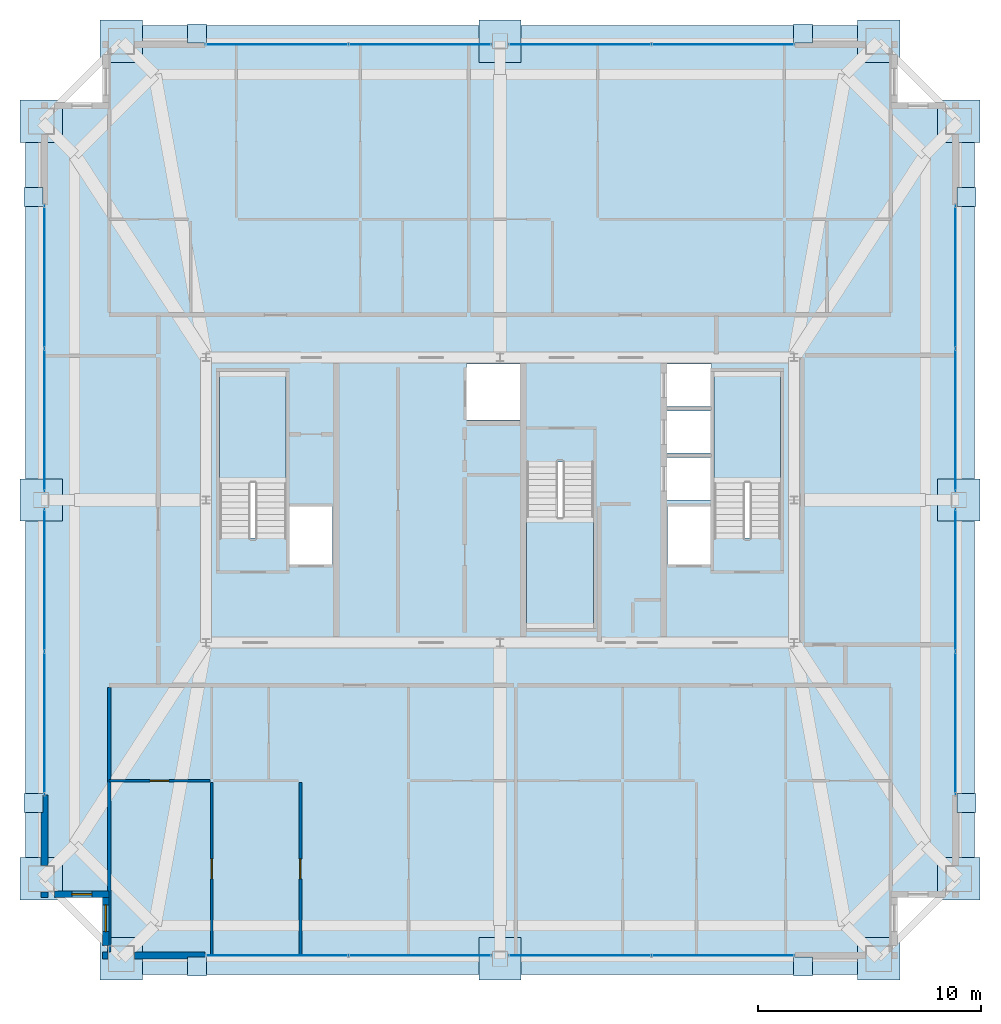
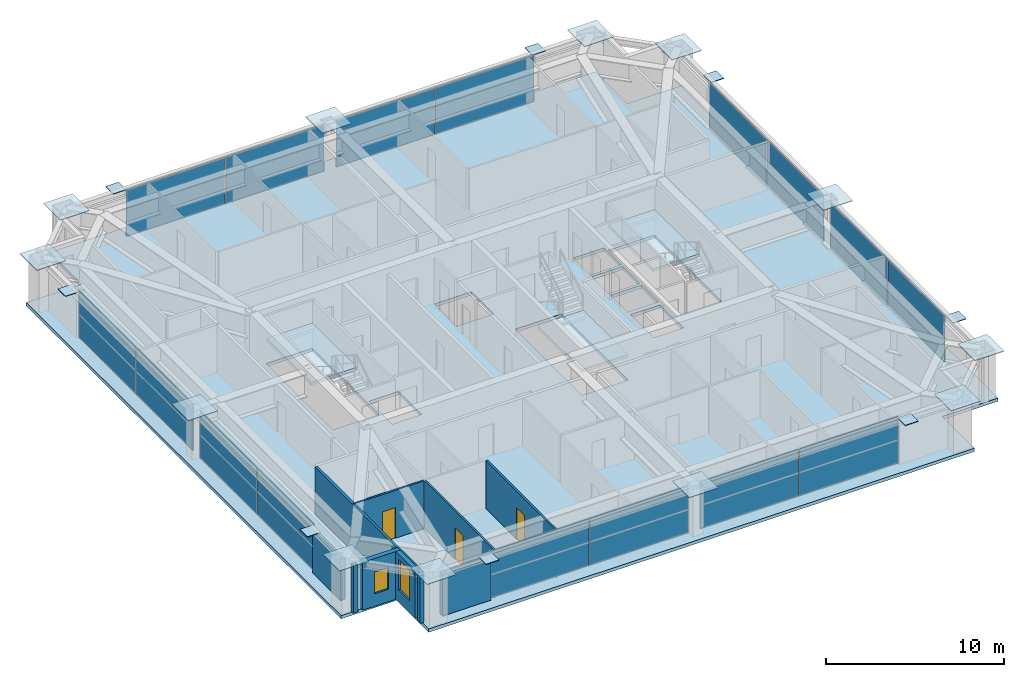
# One storey, part 28 of 33: 36 plates, 10 walls, 4 slabs, 3 doors, 2 windows, 5 openings, 11 elements without a shape of their own.
"""IFC4 building model written with IfcOpenShell, lengths in metres."""

from ifc_helpers import new_model, si_unit, direction, frame, frame_2d, origin, origin_2d, place, context, subcontext, project, spatial, polyline, rectangle, outline, extrude, source, transform, mapped, material, layer, layer_set, type_object, element, fill, aggregate, save


model = new_model("IFC4")

# Units and contexts
model_context = context("Model", 3, precision=1e-05, world=origin(), true_north=direction((0.0, 1.0)))
body_context = subcontext(model_context, "Body", "Model", "MODEL_VIEW")
ifc_project = project(units=[si_unit("LENGTHUNIT", "METRE"), si_unit("AREAUNIT", "SQUARE_METRE"), si_unit("VOLUMEUNIT", "CUBIC_METRE"), si_unit("PLANEANGLEUNIT", "RADIAN"), si_unit("MASSUNIT", "GRAM", prefix="KILO"), si_unit("THERMODYNAMICTEMPERATUREUNIT", "KELVIN"), si_unit("POWERUNIT", "WATT")], contexts=[model_context])

# Site, building, storey
site_placement = place(None, origin())
site = spatial("IfcSite", under=ifc_project, at=site_placement, CompositionType="ELEMENT")
building_placement = place(site_placement, origin())
building = spatial("IfcBuilding", under=site, at=building_placement, Name="Yuzanri Waterfront Tower", CompositionType="ELEMENT")
storey_placement = place(building_placement, frame((0.0, 0.0, 282.10009765625)))
storey = spatial("IfcBuildingStorey", under=building, at=storey_placement, Name="L75", CompositionType="ELEMENT", Elevation=282.10009765625)

# Stair, slab
ifc_material_1 = material(Name="Concrete C40", Category="concrete")
stair_type = type_object("IfcStairType", Name="Concrete C40 Core Dogleg Exit Stair", PredefinedType="HALF_TURN_STAIR", material=ifc_material_1)
stair_1_placement = place(storey_placement, origin())
stair_1 = element("IfcStair", 1, at=stair_1_placement, inside=storey, type_object=stair_type, Name="L75 Smoke-Proof Core Stair ST-01", PredefinedType="HALF_TURN_STAIR")
ifc_material_2 = material(Name="Concrete C40", Category="concrete")
ifc_layer_1 = layer(ifc_material_2, 0.179931640625)
ifc_layer_set_1 = layer_set([ifc_layer_1], Name="Concrete C40")
slab_type_1 = type_object("IfcSlabType", Name="Concrete C40 Stair Half-Landing Slab 180", PredefinedType="LANDING", material=ifc_layer_set_1)
slab_1_placement = place(storey_placement, frame((0.0, 0.0, 1.5498046875)))
slab_1 = element("IfcSlab", 2, at=slab_1_placement, type_object=slab_type_1, Name="ST-01 landing 1", PredefinedType="LANDING", context=body_context, shape_type="SweptSolid", body=[
    extrude(outline(polyline([(27.39990234375, 26.56005859375), (27.39990234375, 31.580078125), (24.39990234375, 31.580078125), (24.39990234375, 26.56005859375), (27.39990234375, 26.56005859375)])), origin(), (0.0, 0.0, 1.0), 0.2001953125),
])
aggregate(stair_1, [slab_1])

stair_2_placement = place(storey_placement, origin())
stair_2 = element("IfcStair", 3, at=stair_2_placement, inside=storey, type_object=stair_type, Name="L75 Smoke-Proof Core Stair ST-02", PredefinedType="HALF_TURN_STAIR")
slab_2_placement = place(storey_placement, frame((0.0, 0.0, 1.5498046875)))
slab_2 = element("IfcSlab", 4, at=slab_2_placement, type_object=slab_type_1, Name="ST-02 landing 1", PredefinedType="LANDING", context=body_context, shape_type="SweptSolid", body=[
    extrude(outline(polyline([(49.60009765625, 26.56005859375), (49.60009765625, 31.580078125), (46.60009765625, 31.580078125), (46.60009765625, 26.56005859375), (49.60009765625, 26.56005859375)])), origin(), (0.0, 0.0, 1.0), 0.2001953125),
])
aggregate(stair_2, [slab_2])

stair_3_placement = place(storey_placement, origin())
stair_3 = element("IfcStair", 5, at=stair_3_placement, inside=storey, type_object=stair_type, Name="L75 Smoke-Proof Core Stair ST-03", PredefinedType="HALF_TURN_STAIR")
slab_3_placement = place(storey_placement, frame((0.0, 0.0, 1.5498046875)))
slab_3 = element("IfcSlab", 6, at=slab_3_placement, type_object=slab_type_1, Name="ST-03 landing 1", PredefinedType="LANDING", context=body_context, shape_type="SweptSolid", body=[
    extrude(outline(polyline([(38.199951171875, 25.0400390625), (38.199951171875, 20.02001953125), (41.199951171875, 20.02001953125), (41.199951171875, 25.0400390625), (38.199951171875, 25.0400390625)])), origin(), (0.0, 0.0, 1.0), 0.2001953125),
])
aggregate(stair_3, [slab_3])

# Slab
ifc_material_3 = material(Name="Concrete C40", Category="concrete")
ifc_layer_2 = layer(ifc_material_3, 0.219970703125)
ifc_layer_set_2 = layer_set([ifc_layer_2], Name="Concrete C40")
slab_type_2 = type_object("IfcSlabType", Name="Concrete C40 Tower Typical Structural Floor Slab 220", PredefinedType="FLOOR", material=ifc_layer_set_2)
slab_4_placement = place(storey_placement, frame((0.0, 0.0, -0.22021484375)))
element("IfcSlab", 7, at=slab_4_placement, inside=storey, type_object=slab_type_2, Name="L75 Main Structural Floor Slab", PredefinedType="FLOOR", context=body_context, shape_type="SweptSolid", body=[
    extrude(outline(polyline([(19.300048828125, 4.5), (54.699951171875, 4.5), (54.699951171875, 8.10009765625), (58.300048828125, 8.10009765625), (58.300048828125, 43.5), (54.699951171875, 43.5), (54.699951171875, 47.10009765625), (19.300048828125, 47.10009765625), (19.300048828125, 43.5), (15.699951171875, 43.5), (15.699951171875, 8.10009765625), (19.300048828125, 8.10009765625), (19.300048828125, 4.5)]), holes=[polyline([(27.39990234375, 24.10009765625), (27.39990234375, 31.580078125), (24.39990234375, 31.580078125), (24.39990234375, 24.10009765625), (27.39990234375, 24.10009765625)]), polyline([(49.60009765625, 24.10009765625), (49.60009765625, 31.580078125), (46.60009765625, 31.580078125), (46.60009765625, 24.10009765625), (49.60009765625, 24.10009765625)]), polyline([(38.199951171875, 27.5), (38.199951171875, 20.02001953125), (41.199951171875, 20.02001953125), (41.199951171875, 27.5), (38.199951171875, 27.5)]), polyline([(27.56005859375, 22.89990234375), (29.47998046875, 22.89990234375), (29.47998046875, 25.5), (27.56005859375, 25.5), (27.56005859375, 22.89990234375)]), polyline([(44.52001953125, 22.89990234375), (46.43994140625, 22.89990234375), (46.43994140625, 25.5), (44.52001953125, 25.5), (44.52001953125, 22.89990234375)]), polyline([(35.5, 29.39990234375), (37.89990234375, 29.39990234375), (37.89990234375, 31.89990234375), (35.5, 31.89990234375), (35.5, 29.39990234375)]), polyline([(44.5, 25.800048828125), (46.5, 25.800048828125), (46.5, 27.699951171875), (44.5, 27.699951171875), (44.5, 25.800048828125)]), polyline([(44.5, 27.89990234375), (46.5, 27.89990234375), (46.5, 29.800048828125), (44.5, 29.800048828125), (44.5, 27.89990234375)]), polyline([(44.5, 30.0), (46.5, 30.0), (46.5, 31.89990234375), (44.5, 31.89990234375), (44.5, 30.0)])]), origin(), (0.0, 0.0, 1.0), 0.22021484375),
])

# Plates
ifc_material_4 = material(Name="Steel Q420GJC", Category="steel")
ifc_layer_3 = layer(ifc_material_4, 0.044921875)
ifc_layer_set_3 = layer_set([ifc_layer_3], Name="Steel Q420GJC")
plate_type_1 = type_object("IfcPlateType", Name="Steel Q420GJC Setback Column-Transfer Diaphragm Cap Plate 45", PredefinedType="SHEET", material=ifc_layer_set_3)
shared_shape_1 = source(origin(), body_context, "Body", "SweptSolid", [
    extrude(rectangle(XDim=1.89990234375, YDim=1.89990234375, at=origin_2d()), origin(), (0.0, 0.0, 1.0), 0.044921875),
])
for number, where, z_axis, x_axis, name in (
    (8, (20.0, 5.199951171875, 3.25732421875), (0.0, 0.0, 1.0), (1.0, 0.0, 0.0), "L75 Column Top Closure Plate S1"),
    (9, (37.0, 5.199951171875, 3.25732421875), (0.0, 0.0, 1.0), (1.0, 0.0, 0.0), "L75 Column Top Closure Plate S2"),
    (10, (54.0, 5.199951171875, 3.25732421875), (0.0, 0.0, 1.0), (1.0, 0.0, 0.0), "L75 Column Top Closure Plate S3"),
    (11, (20.0, 46.39990234375, 3.25732421875), (0.0, 0.0, 1.0), (1.0, 0.0, 0.0), "L75 Column Top Closure Plate N1"),
    (12, (37.0, 46.39990234375, 3.25732421875), (0.0, 0.0, 1.0), (1.0, 0.0, 0.0), "L75 Column Top Closure Plate N2"),
    (13, (54.0, 46.39990234375, 3.25732421875), (0.0, 0.0, 1.0), (1.0, 0.0, 0.0), "L75 Column Top Closure Plate N3"),
    (14, (16.39990234375, 8.800048828125, 3.25732421875), (0.0, 0.0, 1.0), (1.0, 0.0, 0.0), "L75 Column Top Closure Plate W1"),
    (15, (16.39990234375, 25.800048828125, 3.25732421875), (0.0, 0.0, 1.0), (1.0, 0.0, 0.0), "L75 Column Top Closure Plate W2"),
    (16, (16.39990234375, 42.800048828125, 3.25732421875), (0.0, 0.0, 1.0), (1.0, 0.0, 0.0), "L75 Column Top Closure Plate W3"),
    (17, (57.60009765625, 8.800048828125, 3.25732421875), (0.0, 0.0, 1.0), (1.0, 0.0, 0.0), "L75 Column Top Closure Plate E1"),
    (18, (57.60009765625, 25.800048828125, 3.25732421875), (0.0, 0.0, 1.0), (1.0, 0.0, 0.0), "L75 Column Top Closure Plate E2"),
    (19, (57.60009765625, 42.800048828125, 3.25732421875), (0.0, 0.0, 1.0), (1.0, 0.0, 0.0), "L75 Column Top Closure Plate E3"),
):
    element("IfcPlate", number, at=place(storey_placement, frame(where, z_axis=z_axis, x_axis=x_axis)), inside=storey, type_object=plate_type_1, Name=name, PredefinedType="SHEET", context=body_context, shape_type="MappedRepresentation", body=[
        mapped(shared_shape_1, transform((0.0, 0.0, 0.0), scale=1.0)),
    ])
ifc_material_5 = material(Name="Steel Q420GJC", Category="steel")
ifc_layer_4 = layer(ifc_material_5, 0.0400390625)
ifc_layer_set_4 = layer_set([ifc_layer_4], Name="Steel Q420GJC")
plate_type_2 = type_object("IfcPlateType", Name="Steel Q420GJC Mega-Brace Gusset and End-Cap Plate 40", PredefinedType="SHEET", material=ifc_layer_set_4)
shared_shape_2 = source(origin(), body_context, "Body", "SweptSolid", [
    extrude(rectangle(XDim=0.85009765625, YDim=0.85009765625, at=origin_2d()), origin(), (0.0, 0.0, 1.0), 0.0400390625),
])
for number, where, z_axis, x_axis, name in (
    (20, (23.39990234375, 4.860107421875, 3.159912109375), (0.0, 0.0, 1.0), (1.0, 0.0, 0.0), "L75 Mega-Brace Apex Cap Plate S-L"),
    (21, (50.60009765625, 4.860107421875, 3.159912109375), (0.0, 0.0, 1.0), (1.0, 0.0, 0.0), "L75 Mega-Brace Apex Cap Plate S-R"),
    (22, (23.39990234375, 46.739990234375, 3.159912109375), (0.0, 0.0, 1.0), (1.0, 0.0, 0.0), "L75 Mega-Brace Apex Cap Plate N-L"),
    (23, (50.60009765625, 46.739990234375, 3.159912109375), (0.0, 0.0, 1.0), (1.0, 0.0, 0.0), "L75 Mega-Brace Apex Cap Plate N-R"),
    (24, (16.06005859375, 12.199951171875, 3.159912109375), (0.0, 0.0, 1.0), (1.0, 0.0, 0.0), "L75 Mega-Brace Apex Cap Plate W-L"),
    (25, (16.06005859375, 39.39990234375, 3.159912109375), (0.0, 0.0, 1.0), (1.0, 0.0, 0.0), "L75 Mega-Brace Apex Cap Plate W-R"),
    (26, (57.93994140625, 12.199951171875, 3.159912109375), (0.0, 0.0, 1.0), (1.0, 0.0, 0.0), "L75 Mega-Brace Apex Cap Plate E-L"),
    (27, (57.93994140625, 39.39990234375, 3.159912109375), (0.0, 0.0, 1.0), (1.0, 0.0, 0.0), "L75 Mega-Brace Apex Cap Plate E-R"),
):
    element("IfcPlate", number, at=place(storey_placement, frame(where, z_axis=z_axis, x_axis=x_axis)), inside=storey, type_object=plate_type_2, Name=name, PredefinedType="SHEET", context=body_context, shape_type="MappedRepresentation", body=[
        mapped(shared_shape_2, transform((0.0, 0.0, 0.0), scale=1.0)),
    ])

# Curtain wall, plates
ifc_material_6 = material(Name="Anodized Architectural Bronze", Category="metal")
ifc_layer_5 = layer(ifc_material_6, 0.159912109375)
ifc_layer_set_5 = layer_set([ifc_layer_5], Name="Anodized Architectural Bronze")
curtain_wall_type = type_object("IfcCurtainWallType", Name="Anodized Bronze Mid-Rise Residential Acoustic Unitized Curtain Wall 7200", PredefinedType="NOTDEFINED", material=ifc_layer_set_5)
curtain_wall_1_placement = place(storey_placement, origin())
curtain_wall_1 = element("IfcCurtainWall", 28, at=curtain_wall_1_placement, inside=storey, type_object=curtain_wall_type, Name="L75 Curtain Wall CW-L75-SL", PredefinedType="NOTDEFINED")
ifc_material_7 = material(Name="Triple Low-E Laminated Insulated Glass", Category="glass")
ifc_layer_6 = layer(ifc_material_7, 0.0439453125)
ifc_layer_set_6 = layer_set([ifc_layer_6], Name="Triple Low-E Laminated Insulated Glass")
plate_type_3 = type_object("IfcPlateType", Name="Triple Glazed Acoustic Vision Glass Panel 44", PredefinedType="CURTAIN_PANEL", material=ifc_layer_set_6)
shared_shape_3 = source(origin(), body_context, "Body", "SweptSolid", [
    extrude(rectangle(XDim=6.3701171875, YDim=0.0439453125, at=origin_2d()), origin(), (0.0, 0.0, 1.0), 3.179931640625),
])
plate_1_placement = place(storey_placement, frame((26.97509765625, 5.35009765625, 0.0498046875), z_axis=(0.0, 0.0, 1.0), x_axis=(1.0, 0.0, 0.0)))
plate_1 = element("IfcPlate", 29, at=plate_1_placement, type_object=plate_type_3, Name="CW-L75-SL Vision Glass Panel 01", PredefinedType="CURTAIN_PANEL", context=body_context, shape_type="MappedRepresentation", body=[
    mapped(shared_shape_3, transform((0.0, 0.0, 0.0), scale=1.0)),
])
plate_2_placement = place(storey_placement, frame((33.425048828125, 5.35009765625, 0.0498046875), z_axis=(0.0, 0.0, 1.0), x_axis=(1.0, 0.0, 0.0)))
plate_2 = element("IfcPlate", 30, at=plate_2_placement, type_object=plate_type_3, Name="CW-L75-SL Vision Glass Panel 02", PredefinedType="CURTAIN_PANEL", context=body_context, shape_type="MappedRepresentation", body=[
    mapped(shared_shape_3, transform((0.0, 0.0, 0.0), scale=1.0)),
])
aggregate(curtain_wall_1, [plate_1, plate_2])

curtain_wall_2_placement = place(storey_placement, origin())
curtain_wall_2 = element("IfcCurtainWall", 31, at=curtain_wall_2_placement, inside=storey, type_object=curtain_wall_type, Name="L75 Curtain Wall CW-L75-SR", PredefinedType="NOTDEFINED")
plate_3_placement = place(storey_placement, frame((40.574951171875, 5.35009765625, 0.0498046875), z_axis=(0.0, 0.0, 1.0), x_axis=(1.0, 0.0, 0.0)))
plate_3 = element("IfcPlate", 32, at=plate_3_placement, type_object=plate_type_3, Name="CW-L75-SR Vision Glass Panel 01", PredefinedType="CURTAIN_PANEL", context=body_context, shape_type="MappedRepresentation", body=[
    mapped(shared_shape_3, transform((0.0, 0.0, 0.0), scale=1.0)),
])
plate_4_placement = place(storey_placement, frame((47.02490234375, 5.35009765625, 0.0498046875), z_axis=(0.0, 0.0, 1.0), x_axis=(1.0, 0.0, 0.0)))
plate_4 = element("IfcPlate", 33, at=plate_4_placement, type_object=plate_type_3, Name="CW-L75-SR Vision Glass Panel 02", PredefinedType="CURTAIN_PANEL", context=body_context, shape_type="MappedRepresentation", body=[
    mapped(shared_shape_3, transform((0.0, 0.0, 0.0), scale=1.0)),
])
aggregate(curtain_wall_2, [plate_3, plate_4])

curtain_wall_3_placement = place(storey_placement, origin())
curtain_wall_3 = element("IfcCurtainWall", 34, at=curtain_wall_3_placement, inside=storey, type_object=curtain_wall_type, Name="L75 Curtain Wall CW-L75-NL", PredefinedType="NOTDEFINED")
plate_5_placement = place(storey_placement, frame((26.97509765625, 46.25, 0.0498046875), z_axis=(0.0, 0.0, 1.0), x_axis=(1.0, 0.0, 0.0)))
plate_5 = element("IfcPlate", 35, at=plate_5_placement, type_object=plate_type_3, Name="CW-L75-NL Vision Glass Panel 01", PredefinedType="CURTAIN_PANEL", context=body_context, shape_type="MappedRepresentation", body=[
    mapped(shared_shape_3, transform((0.0, 0.0, 0.0), scale=1.0)),
])
plate_6_placement = place(storey_placement, frame((33.425048828125, 46.25, 0.0498046875), z_axis=(0.0, 0.0, 1.0), x_axis=(1.0, 0.0, 0.0)))
plate_6 = element("IfcPlate", 36, at=plate_6_placement, type_object=plate_type_3, Name="CW-L75-NL Vision Glass Panel 02", PredefinedType="CURTAIN_PANEL", context=body_context, shape_type="MappedRepresentation", body=[
    mapped(shared_shape_3, transform((0.0, 0.0, 0.0), scale=1.0)),
])
aggregate(curtain_wall_3, [plate_5, plate_6])

curtain_wall_4_placement = place(storey_placement, origin())
curtain_wall_4 = element("IfcCurtainWall", 37, at=curtain_wall_4_placement, inside=storey, type_object=curtain_wall_type, Name="L75 Curtain Wall CW-L75-NR", PredefinedType="NOTDEFINED")
plate_7_placement = place(storey_placement, frame((40.574951171875, 46.25, 0.0498046875), z_axis=(0.0, 0.0, 1.0), x_axis=(1.0, 0.0, 0.0)))
plate_7 = element("IfcPlate", 38, at=plate_7_placement, type_object=plate_type_3, Name="CW-L75-NR Vision Glass Panel 01", PredefinedType="CURTAIN_PANEL", context=body_context, shape_type="MappedRepresentation", body=[
    mapped(shared_shape_3, transform((0.0, 0.0, 0.0), scale=1.0)),
])
plate_8_placement = place(storey_placement, frame((47.02490234375, 46.25, 0.0498046875), z_axis=(0.0, 0.0, 1.0), x_axis=(1.0, 0.0, 0.0)))
plate_8 = element("IfcPlate", 39, at=plate_8_placement, type_object=plate_type_3, Name="CW-L75-NR Vision Glass Panel 02", PredefinedType="CURTAIN_PANEL", context=body_context, shape_type="MappedRepresentation", body=[
    mapped(shared_shape_3, transform((0.0, 0.0, 0.0), scale=1.0)),
])
aggregate(curtain_wall_4, [plate_7, plate_8])

curtain_wall_5_placement = place(storey_placement, origin())
curtain_wall_5 = element("IfcCurtainWall", 40, at=curtain_wall_5_placement, inside=storey, type_object=curtain_wall_type, Name="L75 Curtain Wall CW-L75-WL", PredefinedType="NOTDEFINED")
plate_9_placement = place(storey_placement, frame((16.550048828125, 15.77490234375, 0.0498046875), z_axis=(0.0, 0.0, 1.0), x_axis=(0.0, 1.0, 0.0)))
plate_9 = element("IfcPlate", 41, at=plate_9_placement, type_object=plate_type_3, Name="CW-L75-WL Vision Glass Panel 01", PredefinedType="CURTAIN_PANEL", context=body_context, shape_type="MappedRepresentation", body=[
    mapped(shared_shape_3, transform((0.0, 0.0, 0.0), scale=1.0)),
])
plate_10_placement = place(storey_placement, frame((16.550048828125, 22.22509765625, 0.0498046875), z_axis=(0.0, 0.0, 1.0), x_axis=(0.0, 1.0, 0.0)))
plate_10 = element("IfcPlate", 42, at=plate_10_placement, type_object=plate_type_3, Name="CW-L75-WL Vision Glass Panel 02", PredefinedType="CURTAIN_PANEL", context=body_context, shape_type="MappedRepresentation", body=[
    mapped(shared_shape_3, transform((0.0, 0.0, 0.0), scale=1.0)),
])
aggregate(curtain_wall_5, [plate_9, plate_10])

curtain_wall_6_placement = place(storey_placement, origin())
curtain_wall_6 = element("IfcCurtainWall", 43, at=curtain_wall_6_placement, inside=storey, type_object=curtain_wall_type, Name="L75 Curtain Wall CW-L75-WR", PredefinedType="NOTDEFINED")
plate_11_placement = place(storey_placement, frame((16.550048828125, 29.375, 0.0498046875), z_axis=(0.0, 0.0, 1.0), x_axis=(0.0, 1.0, 0.0)))
plate_11 = element("IfcPlate", 44, at=plate_11_placement, type_object=plate_type_3, Name="CW-L75-WR Vision Glass Panel 01", PredefinedType="CURTAIN_PANEL", context=body_context, shape_type="MappedRepresentation", body=[
    mapped(shared_shape_3, transform((0.0, 0.0, 0.0), scale=1.0)),
])
plate_12_placement = place(storey_placement, frame((16.550048828125, 35.824951171875, 0.0498046875), z_axis=(0.0, 0.0, 1.0), x_axis=(0.0, 1.0, 0.0)))
plate_12 = element("IfcPlate", 45, at=plate_12_placement, type_object=plate_type_3, Name="CW-L75-WR Vision Glass Panel 02", PredefinedType="CURTAIN_PANEL", context=body_context, shape_type="MappedRepresentation", body=[
    mapped(shared_shape_3, transform((0.0, 0.0, 0.0), scale=1.0)),
])
aggregate(curtain_wall_6, [plate_11, plate_12])

curtain_wall_7_placement = place(storey_placement, origin())
curtain_wall_7 = element("IfcCurtainWall", 46, at=curtain_wall_7_placement, inside=storey, type_object=curtain_wall_type, Name="L75 Curtain Wall CW-L75-EL", PredefinedType="NOTDEFINED")
plate_13_placement = place(storey_placement, frame((57.449951171875, 15.77490234375, 0.0498046875), z_axis=(0.0, 0.0, 1.0), x_axis=(0.0, 1.0, 0.0)))
plate_13 = element("IfcPlate", 47, at=plate_13_placement, type_object=plate_type_3, Name="CW-L75-EL Vision Glass Panel 01", PredefinedType="CURTAIN_PANEL", context=body_context, shape_type="MappedRepresentation", body=[
    mapped(shared_shape_3, transform((0.0, 0.0, 0.0), scale=1.0)),
])
plate_14_placement = place(storey_placement, frame((57.449951171875, 22.22509765625, 0.0498046875), z_axis=(0.0, 0.0, 1.0), x_axis=(0.0, 1.0, 0.0)))
plate_14 = element("IfcPlate", 48, at=plate_14_placement, type_object=plate_type_3, Name="CW-L75-EL Vision Glass Panel 02", PredefinedType="CURTAIN_PANEL", context=body_context, shape_type="MappedRepresentation", body=[
    mapped(shared_shape_3, transform((0.0, 0.0, 0.0), scale=1.0)),
])
aggregate(curtain_wall_7, [plate_13, plate_14])

curtain_wall_8_placement = place(storey_placement, origin())
curtain_wall_8 = element("IfcCurtainWall", 49, at=curtain_wall_8_placement, inside=storey, type_object=curtain_wall_type, Name="L75 Curtain Wall CW-L75-ER", PredefinedType="NOTDEFINED")
plate_15_placement = place(storey_placement, frame((57.449951171875, 29.375, 0.0498046875), z_axis=(0.0, 0.0, 1.0), x_axis=(0.0, 1.0, 0.0)))
plate_15 = element("IfcPlate", 50, at=plate_15_placement, type_object=plate_type_3, Name="CW-L75-ER Vision Glass Panel 01", PredefinedType="CURTAIN_PANEL", context=body_context, shape_type="MappedRepresentation", body=[
    mapped(shared_shape_3, transform((0.0, 0.0, 0.0), scale=1.0)),
])
plate_16_placement = place(storey_placement, frame((57.449951171875, 35.824951171875, 0.0498046875), z_axis=(0.0, 0.0, 1.0), x_axis=(0.0, 1.0, 0.0)))
plate_16 = element("IfcPlate", 51, at=plate_16_placement, type_object=plate_type_3, Name="CW-L75-ER Vision Glass Panel 02", PredefinedType="CURTAIN_PANEL", context=body_context, shape_type="MappedRepresentation", body=[
    mapped(shared_shape_3, transform((0.0, 0.0, 0.0), scale=1.0)),
])
aggregate(curtain_wall_8, [plate_15, plate_16])

# Wall, opening, door
ifc_material_8 = material(Name="Moisture-Resistant Gypsum Stud Wall", Category="gypsum")
ifc_layer_7 = layer(ifc_material_8, 0.1201171875)
ifc_layer_set_7 = layer_set([ifc_layer_7], Name="Moisture-Resistant Gypsum Stud Wall")
wall_type_1 = type_object("IfcWallType", Name="Bathroom and Kitchen Wet Partition 120", PredefinedType="PARTITIONING", material=ifc_layer_set_7)
wall_1_placement = place(storey_placement, frame((19.43994140625, 13.199951171875, 0.0), z_axis=(0.0, 0.0, 1.0), x_axis=(1.0, 0.0, 0.0)))
wall_1 = element("IfcWall", 52, at=wall_1_placement, inside=storey, type_object=wall_type_1, Name="L75 Partition UW-L75-HS1-SUB-1-S", PredefinedType="PARTITIONING", context=body_context, shape_type="SweptSolid", body=[
    extrude(rectangle(XDim=4.545166015625, YDim=0.1201171875, at=frame_2d((2.2724609375, 0.0))), origin(), (0.0, 0.0, 1.0), 3.27978515625),
])
opening_1_placement = place(wall_1_placement, frame((1.847412109375, 0.0, 0.0)))
opening_1 = element("IfcOpeningElement", 53, at=opening_1_placement, cuts=wall_1, Name="Opening ID-0850", PredefinedType="OPENING", context=body_context, shape_type="SweptSolid", body=[
    extrude(rectangle(XDim=0.85009765625, YDim=2.10009765625, at=frame_2d((0.425048828125, 1.050048828125))), frame((0.0, 0.074951171875, 0.0), z_axis=(0.0, -1.0, 0.0), x_axis=(1.0, 0.0, 0.0)), (0.0, 0.0, 1.0), 0.14990234375),
])
ifc_material_9 = material(Name="Moisture-Resistant Lacquered Timber", Category="wood")
door_type_1 = type_object("IfcDoorType", Name="En-Suite Bathroom and Kitchen Swing Door 850x2100", OperationType="NOTDEFINED", PredefinedType="DOOR", material=ifc_material_9)
shared_shape_4 = source(origin(), body_context, "Body", "SweptSolid", [
    extrude(rectangle(XDim=0.85009765625, YDim=2.10009765625, at=frame_2d((0.425048828125, 1.050048828125))), frame((0.0, 0.02490234375, 0.0), z_axis=(0.0, -1.0, 0.0), x_axis=(1.0, 0.0, 0.0)), (0.0, 0.0, 1.0), 0.050048828125),
])
door_1_placement = place(opening_1_placement, origin())
door_1 = element("IfcDoor", 54, at=door_1_placement, inside=storey, type_object=door_type_1, Name="L75 Suite Interior Room Door", OperationType="SINGLE_SWING_RIGHT", OverallHeight=2.10009765625, OverallWidth=0.85009765625, PredefinedType="DOOR", context=body_context, shape_type="MappedRepresentation", body=[
    mapped(shared_shape_4, transform((0.0, 0.0, 0.0), scale=1.0)),
])
fill(opening_1, door_1)

wall_2_placement = place(storey_placement, frame((24.06494140625, 5.35009765625, 0.0), z_axis=(0.0, 0.0, 1.0), x_axis=(0.0, 1.0, 0.0)))
wall_2 = element("IfcWall", 55, at=wall_2_placement, inside=storey, type_object=wall_type_1, Name="L75 Partition UW-L75-HS1-SUB-4-E", PredefinedType="PARTITIONING", context=body_context, shape_type="SweptSolid", body=[
    extrude(rectangle(XDim=7.77001953125, YDim=0.1201171875, at=frame_2d((3.885009765625, 0.0))), origin(), (0.0, 0.0, 1.0), 3.27978515625),
])
opening_2_placement = place(wall_2_placement, frame((3.43505859375, 0.0, 0.0)))
opening_2 = element("IfcOpeningElement", 56, at=opening_2_placement, cuts=wall_2, Name="Opening ID-0900", PredefinedType="OPENING", context=body_context, shape_type="SweptSolid", body=[
    extrude(rectangle(XDim=0.89990234375, YDim=2.14990234375, at=frame_2d((0.449951171875, 1.074951171875))), frame((0.0, 0.074951171875, 0.0), z_axis=(0.0, -1.0, 0.0), x_axis=(1.0, 0.0, 0.0)), (0.0, 0.0, 1.0), 0.14990234375),
])
ifc_material_10 = material(Name="Stained Walnut Veneer Timber", Category="wood")
door_type_2 = type_object("IfcDoorType", Name="Bedroom and Study Interior Swing Door 900x2150", OperationType="NOTDEFINED", PredefinedType="DOOR", material=ifc_material_10)
shared_shape_5 = source(origin(), body_context, "Body", "SweptSolid", [
    extrude(rectangle(XDim=0.89990234375, YDim=2.14990234375, at=frame_2d((0.449951171875, 1.074951171875))), frame((0.0, 0.02490234375, 0.0), z_axis=(0.0, -1.0, 0.0), x_axis=(1.0, 0.0, 0.0)), (0.0, 0.0, 1.0), 0.050048828125),
])
door_2_placement = place(opening_2_placement, origin())
door_2 = element("IfcDoor", 57, at=door_2_placement, inside=storey, type_object=door_type_2, Name="L75 Suite Interior Room Door", OperationType="SINGLE_SWING_LEFT", OverallHeight=2.14990234375, OverallWidth=0.89990234375, PredefinedType="DOOR", context=body_context, shape_type="MappedRepresentation", body=[
    mapped(shared_shape_5, transform((0.0, 0.0, 0.0), scale=1.0)),
])
fill(opening_2, door_2)

wall_3_placement = place(storey_placement, frame((28.0400390625, 5.35009765625, 0.0), z_axis=(0.0, 0.0, 1.0), x_axis=(0.0, 1.0, 0.0)))
wall_3 = element("IfcWall", 58, at=wall_3_placement, inside=storey, type_object=wall_type_1, Name="L75 Partition UW-L75-HS1-SUB-6-E", PredefinedType="PARTITIONING", context=body_context, shape_type="SweptSolid", body=[
    extrude(rectangle(XDim=7.77001953125, YDim=0.1201171875, at=frame_2d((3.885009765625, 0.0))), origin(), (0.0, 0.0, 1.0), 3.27978515625),
])
opening_3_placement = place(wall_3_placement, frame((3.43505859375, 0.0, 0.0)))
opening_3 = element("IfcOpeningElement", 59, at=opening_3_placement, cuts=wall_3, Name="Opening ID-0900", PredefinedType="OPENING", context=body_context, shape_type="SweptSolid", body=[
    extrude(rectangle(XDim=0.89990234375, YDim=2.14990234375, at=frame_2d((0.449951171875, 1.074951171875))), frame((0.0, 0.074951171875, 0.0), z_axis=(0.0, -1.0, 0.0), x_axis=(1.0, 0.0, 0.0)), (0.0, 0.0, 1.0), 0.14990234375),
])
door_3_placement = place(opening_3_placement, origin())
door_3 = element("IfcDoor", 60, at=door_3_placement, inside=storey, type_object=door_type_2, Name="L75 Suite Interior Room Door", OperationType="SINGLE_SWING_LEFT", OverallHeight=2.14990234375, OverallWidth=0.89990234375, PredefinedType="DOOR", context=body_context, shape_type="MappedRepresentation", body=[
    mapped(shared_shape_5, transform((0.0, 0.0, 0.0), scale=1.0)),
])
fill(opening_3, door_3)

# Wall, opening, window
ifc_material_11 = material(Name="Honed Chongqing Dark Basalt Stone", Category="masonry")
ifc_layer_8 = layer(ifc_material_11, 0.300048828125)
ifc_layer_set_8 = layer_set([ifc_layer_8], Name="Honed Chongqing Dark Basalt Stone")
wall_type_2 = type_object("IfcWallType", Name="Bronze Rainscreen Insulated Spandrel Portal Wall 300", PredefinedType="SOLIDWALL", material=ifc_layer_set_8)
wall_4_placement = place(storey_placement, frame((17.0, 8.10009765625, 0.0), z_axis=(0.0, 0.0, 1.0), x_axis=(1.0, 0.0, 0.0)))
wall_4 = element("IfcWall", 61, at=wall_4_placement, inside=storey, type_object=wall_type_2, Name="L75 Notched Corner Masonry Wall SW-X", PredefinedType="SOLIDWALL", context=body_context, shape_type="SweptSolid", body=[
    extrude(rectangle(XDim=2.449951171875, YDim=0.300048828125, at=frame_2d((1.22509765625, 0.0))), origin(), (0.0, 0.0, 1.0), 3.27978515625),
])
opening_4_placement = place(wall_4_placement, frame((0.77490234375, 0.0, 0.85009765625)))
opening_4 = element("IfcOpeningElement", 62, at=opening_4_placement, cuts=wall_4, Name="Opening WN-05", PredefinedType="OPENING", context=body_context, shape_type="SweptSolid", body=[
    extrude(rectangle(XDim=0.89990234375, YDim=1.5, at=frame_2d((0.449951171875, 0.75))), frame((0.0, 0.1650390625, 0.0), z_axis=(0.0, -1.0, 0.0), x_axis=(1.0, 0.0, 0.0)), (0.0, 0.0, 1.0), 0.329833984375),
])
ifc_material_12 = material(Name="Double-Silver Low-E Insulated Glass", Category="glass")
window_type_1 = type_object("IfcWindowType", Name="Anodized Bronze Service and Stairwell Smoke-Vent Window 900x1500", PartitioningType="SINGLE_PANEL", PredefinedType="WINDOW", material=ifc_material_12)
shared_shape_6 = source(origin(), body_context, "Body", "SweptSolid", [
    extrude(rectangle(XDim=0.89990234375, YDim=1.5, at=frame_2d((0.449951171875, 0.75))), frame((0.0, 0.030029296875, 0.0), z_axis=(0.0, -1.0, 0.0), x_axis=(1.0, 0.0, 0.0)), (0.0, 0.0, 1.0), 0.06005859375),
])
window_1_placement = place(opening_4_placement, origin())
window_1 = element("IfcWindow", 63, at=window_1_placement, inside=storey, type_object=window_type_1, Name="L75 Notched Corner Window SW-X", OverallHeight=1.5, OverallWidth=0.89990234375, PartitioningType="SINGLE_PANEL", PredefinedType="WINDOW", context=body_context, shape_type="MappedRepresentation", body=[
    mapped(shared_shape_6, transform((0.0, 0.0, 0.0), scale=1.0)),
])
fill(opening_4, window_1)

wall_5_placement = place(storey_placement, frame((19.300048828125, 8.25, 0.0), z_axis=(0.0, 0.0, 1.0), x_axis=(0.0, -1.0, 0.0)))
wall_5 = element("IfcWall", 64, at=wall_5_placement, inside=storey, type_object=wall_type_2, Name="L75 Notched Corner Masonry Wall SW-Y", PredefinedType="SOLIDWALL", context=body_context, shape_type="SweptSolid", body=[
    extrude(rectangle(XDim=2.449951171875, YDim=0.300048828125, at=frame_2d((1.22509765625, 0.0))), origin(), (0.0, 0.0, 1.0), 3.27978515625),
])
opening_5_placement = place(wall_5_placement, frame((0.625, 0.0, 0.85009765625)))
opening_5 = element("IfcOpeningElement", 65, at=opening_5_placement, cuts=wall_5, Name="Opening WN-02", PredefinedType="OPENING", context=body_context, shape_type="SweptSolid", body=[
    extrude(rectangle(XDim=1.199951171875, YDim=2.10009765625, at=frame_2d((0.60009765625, 1.050048828125))), frame((0.0, 0.1650390625, 0.0), z_axis=(0.0, -1.0, 0.0), x_axis=(1.0, 0.0, 0.0)), (0.0, 0.0, 1.0), 0.329833984375),
])
ifc_material_13 = material(Name="Double-Silver Low-E Insulated Glass", Category="glass")
window_type_2 = type_object("IfcWindowType", Name="Anodized Bronze Notched Corner Deep-Set Slot Window 1200x2100", PartitioningType="SINGLE_PANEL", PredefinedType="WINDOW", material=ifc_material_13)
shared_shape_7 = source(origin(), body_context, "Body", "SweptSolid", [
    extrude(rectangle(XDim=1.199951171875, YDim=2.10009765625, at=frame_2d((0.60009765625, 1.050048828125))), frame((0.0, 0.030029296875, 0.0), z_axis=(0.0, -1.0, 0.0), x_axis=(1.0, 0.0, 0.0)), (0.0, 0.0, 1.0), 0.06005859375),
])
window_2_placement = place(opening_5_placement, origin())
window_2 = element("IfcWindow", 66, at=window_2_placement, inside=storey, type_object=window_type_2, Name="L75 Notched Corner Window SW-Y", OverallHeight=2.10009765625, OverallWidth=1.199951171875, PartitioningType="SINGLE_PANEL", PredefinedType="WINDOW", context=body_context, shape_type="MappedRepresentation", body=[
    mapped(shared_shape_7, transform((0.0, 0.0, 0.0), scale=1.0)),
])
fill(opening_5, window_2)

# Walls
shared_shape_8 = source(origin(), body_context, "Body", "SweptSolid", [
    extrude(rectangle(XDim=0.25, YDim=0.300048828125, at=frame_2d((0.125, 0.0))), origin(), (0.0, 0.0, 1.0), 3.27978515625),
])
for number, where, z_axis, x_axis, name in (
    (67, (19.14990234375, 5.35009765625, 0.0), (0.0, 0.0, 1.0), (1.0, 0.0, 0.0), "L75 Corner Column Shoulder Return CSW"),
    (68, (16.550048828125, 7.949951171875, 0.0), (0.0, 0.0, 1.0), (0.0, 1.0, 0.0), "L75 Corner Column Shoulder Return CWS"),
):
    element("IfcWall", number, at=place(storey_placement, frame(where, z_axis=z_axis, x_axis=x_axis)), inside=storey, type_object=wall_type_2, Name=name, PredefinedType="SOLIDWALL", context=body_context, shape_type="MappedRepresentation", body=[
        mapped(shared_shape_8, transform((0.0, 0.0, 0.0), scale=1.0)),
    ])
shared_shape_9 = source(origin(), body_context, "Body", "SweptSolid", [
    extrude(rectangle(XDim=3.14990234375, YDim=0.300048828125, at=frame_2d((1.574951171875, 0.0))), origin(), (0.0, 0.0, 1.0), 2.8349609375),
])
wall_6_placement = place(storey_placement, frame((20.60009765625, 5.35009765625, 0.0), z_axis=(0.0, 0.0, 1.0), x_axis=(1.0, 0.0, 0.0)))
element("IfcWall", 69, at=wall_6_placement, inside=storey, type_object=wall_type_2, Name="L75 S Left Braced Masonry Shoulder", PredefinedType="SOLIDWALL", context=body_context, shape_type="MappedRepresentation", body=[
    mapped(shared_shape_9, transform((0.0, 0.0, 0.0), scale=1.0)),
])
shared_shape_10 = source(origin(), body_context, "Body", "SweptSolid", [
    extrude(rectangle(XDim=3.150146484375, YDim=0.300048828125, at=frame_2d((1.5751953125, 0.0))), origin(), (0.0, 0.0, 1.0), 2.8349609375),
])
wall_7_placement = place(storey_placement, frame((16.550048828125, 9.39990234375, 0.0), z_axis=(0.0, 0.0, 1.0), x_axis=(0.0, 1.0, 0.0)))
element("IfcWall", 70, at=wall_7_placement, inside=storey, type_object=wall_type_2, Name="L75 W Left Braced Masonry Shoulder", PredefinedType="SOLIDWALL", context=body_context, shape_type="MappedRepresentation", body=[
    mapped(shared_shape_10, transform((0.0, 0.0, 0.0), scale=1.0)),
])
ifc_material_14 = material(Name="Gypsum Fireboard Acoustic Stud Wall", Category="gypsum")
ifc_layer_9 = layer(ifc_material_14, 0.159912109375)
ifc_layer_set_9 = layer_set([ifc_layer_9], Name="Gypsum Fireboard Acoustic Stud Wall")
wall_type_3 = type_object("IfcWallType", Name="Acoustic Suite Demising Partition 160", PredefinedType="PARTITIONING", material=ifc_layer_set_9)
shared_shape_11 = source(origin(), body_context, "Body", "SweptSolid", [
    extrude(rectangle(XDim=11.889892578125, YDim=0.159912109375, at=frame_2d((5.94482421875, 0.0))), origin(), (0.0, 0.0, 1.0), 3.27978515625),
])
wall_8_placement = place(storey_placement, frame((19.449951171875, 5.5, 0.0), z_axis=(0.0, 0.0, 1.0), x_axis=(0.0, 1.0, 0.0)))
element("IfcWall", 71, at=wall_8_placement, inside=storey, type_object=wall_type_3, Name="L75 South Band West End Wall", PredefinedType="PARTITIONING", context=body_context, shape_type="MappedRepresentation", body=[
    mapped(shared_shape_11, transform((0.0, 0.0, 0.0), scale=1.0)),
])

save(model, "model.ifc")
